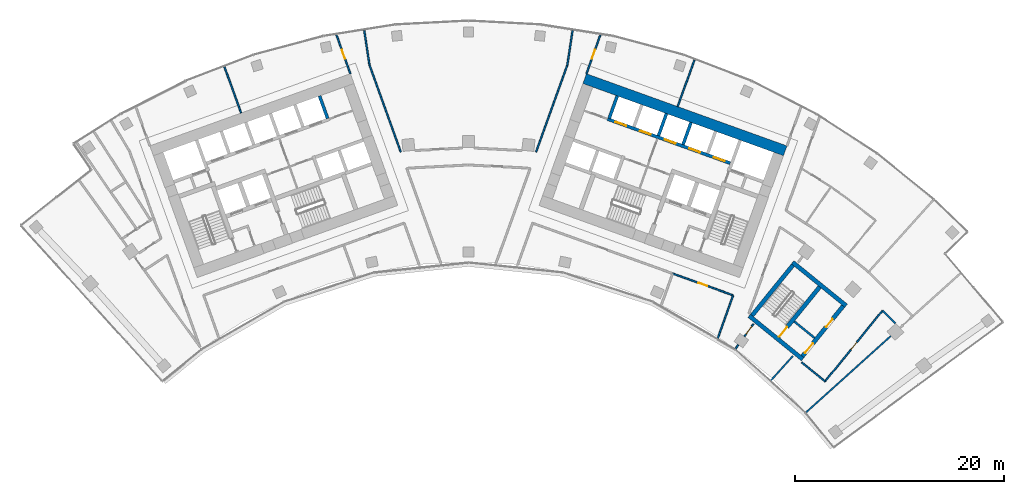
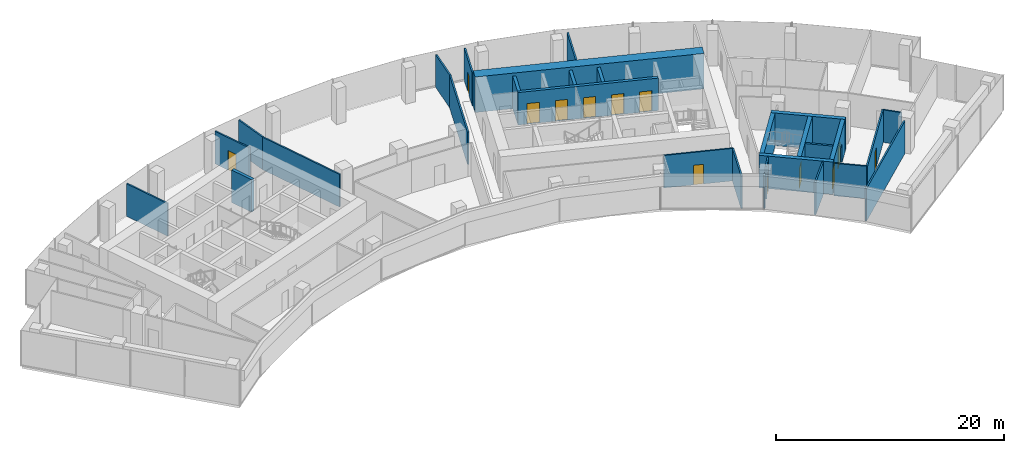
# One storey, part 14 of 17: 29 walls, 13 doors, 13 openings.
"""IFC4 building model written with IfcOpenShell, lengths in metres."""

from ifc_helpers import new_model, si_unit, direction, frame, frame_2d, origin, place, context, subcontext, project, spatial, rectangle, extrude, material, layer, layer_set, type_object, element, fill, save


model = new_model("IFC4")

# Units and contexts
model_context = context("Model", 3, precision=1e-05, world=origin(), true_north=direction((0.0, 1.0)))
body_context = subcontext(model_context, "Body", "Model", "MODEL_VIEW")
ifc_project = project(units=[si_unit("LENGTHUNIT", "METRE"), si_unit("AREAUNIT", "SQUARE_METRE"), si_unit("VOLUMEUNIT", "CUBIC_METRE"), si_unit("PLANEANGLEUNIT", "RADIAN"), si_unit("MASSUNIT", "GRAM", prefix="KILO")], contexts=[model_context])

# Site, building, storey
site_placement = place(None, origin())
site = spatial("IfcSite", under=ifc_project, at=site_placement, CompositionType="ELEMENT")
building_placement = place(site_placement, origin())
building = spatial("IfcBuilding", under=site, at=building_placement, Name="Stone Belt Terrace Tower", CompositionType="ELEMENT")
storey_placement = place(building_placement, frame((0.0, 0.0, 231.39990234375)))
storey = spatial("IfcBuildingStorey", under=building, at=storey_placement, Name="L56", CompositionType="ELEMENT", Elevation=231.39990234375)

# Walls
ifc_material_1 = material(Name="Concrete B60", Category="concrete")
ifc_layer_1 = layer(ifc_material_1, 1.0)
ifc_layer_set_1 = layer_set([ifc_layer_1], Name="Core wall 1000 B60")
wall_type_1 = type_object("IfcWallType", Name="Core wall 1000 B60", PredefinedType="SHEAR", material=ifc_layer_set_1)
wall_1_placement = place(storey_placement, frame((11.12646484375, 61.038330078125, 0.0), z_axis=(0.0, 0.0, 1.0), x_axis=(0.940921428504, -0.338624962727, 0.0)))
element("IfcWall", 1, at=wall_1_placement, inside=storey, type_object=wall_type_1, Name="Core B wall convex L56", PredefinedType="SHEAR", context=body_context, shape_type="SweptSolid", body=[
    extrude(rectangle(XDim=20.400146484375, YDim=1.0, at=frame_2d((10.2001953125, 0.0))), origin(), (0.0, 0.0, 1.0), 3.800048828125),
])
ifc_material_2 = material(Name="Concrete B80", Category="concrete")
ifc_layer_2 = layer(ifc_material_2, 0.300048828125)
ifc_layer_set_2 = layer_set([ifc_layer_2], Name="Lift shaft wall 300")
wall_type_2 = type_object("IfcWallType", Name="Lift shaft wall 300", PredefinedType="SHEAR", material=ifc_layer_set_2)
wall_2_placement = place(storey_placement, frame((-13.471435546875, 57.218505859375, 0.0), z_axis=(0.0, 0.0, 1.0), x_axis=(-0.338587917, 0.940934759939, 0.0)))
element("IfcWall", 2, at=wall_2_placement, inside=storey, type_object=wall_type_2, Name="Core A wall", PredefinedType="SHEAR", context=body_context, shape_type="SweptSolid", body=[
    extrude(rectangle(XDim=2.300048828125, YDim=0.300048828125, at=frame_2d((1.14990234375, 0.0))), origin(), (0.0, 0.0, 1.0), 3.47998046875),
])

# Wall, openings, doors
wall_3_placement = place(storey_placement, frame((25.05810546875, 52.9423828125, 0.0), z_axis=(0.0, 0.0, 1.0), x_axis=(-0.940920770291, 0.338626791666, 0.0)))
wall_3 = element("IfcWall", 3, at=wall_3_placement, inside=storey, type_object=wall_type_2, Name="Core B wall", PredefinedType="SHEAR", context=body_context, shape_type="SweptSolid", body=[
    extrude(rectangle(XDim=12.500244140625, YDim=0.300048828125, at=frame_2d((6.25, 0.0))), origin(), (0.0, 0.0, 1.0), 3.47998046875),
])
opening_1_placement = place(wall_3_placement, frame((0.570068359375, 0.0, 0.0)))
opening_1 = element("IfcOpeningElement", 4, at=opening_1_placement, cuts=wall_3, Name="Opening L56-LD09", PredefinedType="OPENING", context=body_context, shape_type="SweptSolid", body=[
    extrude(rectangle(XDim=1.10009765625, YDim=2.199951171875, at=frame_2d((0.550048828125, 1.10009765625))), frame((0.0, 0.159912109375, 0.0), z_axis=(0.0, -1.0, 0.0), x_axis=(1.0, 0.0, 0.0)), (0.0, 0.0, 1.0), 0.320068359375),
])
opening_2_placement = place(wall_3_placement, frame((3.070068359375, 0.0, 0.0)))
opening_2 = element("IfcOpeningElement", 5, at=opening_2_placement, cuts=wall_3, Name="Opening L56-LD10", PredefinedType="OPENING", context=body_context, shape_type="SweptSolid", body=[
    extrude(rectangle(XDim=1.10009765625, YDim=2.199951171875, at=frame_2d((0.550048828125, 1.10009765625))), frame((0.0, 0.159912109375, 0.0), z_axis=(0.0, -1.0, 0.0), x_axis=(1.0, 0.0, 0.0)), (0.0, 0.0, 1.0), 0.320068359375),
])
opening_3_placement = place(wall_3_placement, frame((5.570068359375, 0.0, 0.0)))
opening_3 = element("IfcOpeningElement", 6, at=opening_3_placement, cuts=wall_3, Name="Opening L56-LD11", PredefinedType="OPENING", context=body_context, shape_type="SweptSolid", body=[
    extrude(rectangle(XDim=1.10009765625, YDim=2.199951171875, at=frame_2d((0.550048828125, 1.10009765625))), frame((0.0, 0.159912109375, 0.0), z_axis=(0.0, -1.0, 0.0), x_axis=(1.0, 0.0, 0.0)), (0.0, 0.0, 1.0), 0.320068359375),
])
opening_4_placement = place(wall_3_placement, frame((8.070068359375, 0.0, 0.0)))
opening_4 = element("IfcOpeningElement", 7, at=opening_4_placement, cuts=wall_3, Name="Opening L56-LD12", PredefinedType="OPENING", context=body_context, shape_type="SweptSolid", body=[
    extrude(rectangle(XDim=1.10009765625, YDim=2.199951171875, at=frame_2d((0.550048828125, 1.10009765625))), frame((0.0, 0.159912109375, 0.0), z_axis=(0.0, -1.0, 0.0), x_axis=(1.0, 0.0, 0.0)), (0.0, 0.0, 1.0), 0.320068359375),
])
opening_5_placement = place(wall_3_placement, frame((10.570068359375, 0.0, 0.0)))
opening_5 = element("IfcOpeningElement", 8, at=opening_5_placement, cuts=wall_3, Name="Opening L56-LD13", PredefinedType="OPENING", context=body_context, shape_type="SweptSolid", body=[
    extrude(rectangle(XDim=1.10009765625, YDim=2.199951171875, at=frame_2d((0.550048828125, 1.10009765625))), frame((0.0, 0.159912109375, 0.0), z_axis=(0.0, -1.0, 0.0), x_axis=(1.0, 0.0, 0.0)), (0.0, 0.0, 1.0), 0.320068359375),
])
ifc_material_3 = material(Name="Stainless steel door leaf", Category="steel")
door_type_1 = type_object("IfcDoorType", Name="Landing door 1100", OperationType="SLIDING_TO_LEFT", PredefinedType="DOOR", material=ifc_material_3)
door_1_placement = place(opening_1_placement, origin())
door_1 = element("IfcDoor", 9, at=door_1_placement, inside=storey, type_object=door_type_1, Name="Landing door MR1 core B", OperationType="SLIDING_TO_LEFT", OverallHeight=2.199951171875, OverallWidth=1.10009765625, PredefinedType="DOOR", context=body_context, shape_type="SweptSolid", body=[
    extrude(rectangle(XDim=1.10009765625, YDim=2.199951171875, at=frame_2d((0.550048828125, 1.10009765625))), frame((0.0, 0.02490234375, 0.0), z_axis=(0.0, -1.0, 0.0), x_axis=(1.0, 0.0, 0.0)), (0.0, 0.0, 1.0), 0.050048828125),
])
fill(opening_1, door_1)
door_2_placement = place(opening_2_placement, origin())
door_2 = element("IfcDoor", 10, at=door_2_placement, inside=storey, type_object=door_type_1, Name="Landing door MR2 core B", OperationType="SLIDING_TO_LEFT", OverallHeight=2.199951171875, OverallWidth=1.10009765625, PredefinedType="DOOR", context=body_context, shape_type="SweptSolid", body=[
    extrude(rectangle(XDim=1.10009765625, YDim=2.199951171875, at=frame_2d((0.550048828125, 1.10009765625))), frame((0.0, 0.02490234375, 0.0), z_axis=(0.0, -1.0, 0.0), x_axis=(1.0, 0.0, 0.0)), (0.0, 0.0, 1.0), 0.050048828125),
])
fill(opening_2, door_2)
door_3_placement = place(opening_3_placement, origin())
door_3 = element("IfcDoor", 11, at=door_3_placement, inside=storey, type_object=door_type_1, Name="Landing door MR3 core B", OperationType="SLIDING_TO_LEFT", OverallHeight=2.199951171875, OverallWidth=1.10009765625, PredefinedType="DOOR", context=body_context, shape_type="SweptSolid", body=[
    extrude(rectangle(XDim=1.10009765625, YDim=2.199951171875, at=frame_2d((0.550048828125, 1.10009765625))), frame((0.0, 0.02490234375, 0.0), z_axis=(0.0, -1.0, 0.0), x_axis=(1.0, 0.0, 0.0)), (0.0, 0.0, 1.0), 0.050048828125),
])
fill(opening_3, door_3)
door_4_placement = place(opening_4_placement, origin())
door_4 = element("IfcDoor", 12, at=door_4_placement, inside=storey, type_object=door_type_1, Name="Landing door MR4 core B", OperationType="SLIDING_TO_LEFT", OverallHeight=2.199951171875, OverallWidth=1.10009765625, PredefinedType="DOOR", context=body_context, shape_type="SweptSolid", body=[
    extrude(rectangle(XDim=1.10009765625, YDim=2.199951171875, at=frame_2d((0.550048828125, 1.10009765625))), frame((0.0, 0.02490234375, 0.0), z_axis=(0.0, -1.0, 0.0), x_axis=(1.0, 0.0, 0.0)), (0.0, 0.0, 1.0), 0.050048828125),
])
fill(opening_4, door_4)
door_5_placement = place(opening_5_placement, origin())
door_5 = element("IfcDoor", 13, at=door_5_placement, inside=storey, type_object=door_type_1, Name="Landing door MR5 core B", OperationType="SLIDING_TO_LEFT", OverallHeight=2.199951171875, OverallWidth=1.10009765625, PredefinedType="DOOR", context=body_context, shape_type="SweptSolid", body=[
    extrude(rectangle(XDim=1.10009765625, YDim=2.199951171875, at=frame_2d((0.550048828125, 1.10009765625))), frame((0.0, 0.02490234375, 0.0), z_axis=(0.0, -1.0, 0.0), x_axis=(1.0, 0.0, 0.0)), (0.0, 0.0, 1.0), 0.050048828125),
])
fill(opening_5, door_5)

# Walls
wall_4_placement = place(storey_placement, frame((20.54541015625, 54.72607421875, 0.0), z_axis=(0.0, 0.0, 1.0), x_axis=(0.338569601369, 0.940941350472, 0.0)))
element("IfcWall", 14, at=wall_4_placement, inside=storey, type_object=wall_type_2, Name="Core B wall", PredefinedType="SHEAR", context=body_context, shape_type="SweptSolid", body=[
    extrude(rectangle(XDim=2.249755859375, YDim=0.300048828125, at=frame_2d((1.125, 0.0))), origin(), (0.0, 0.0, 1.0), 3.47998046875),
])
wall_5_placement = place(storey_placement, frame((18.193115234375, 55.572509765625, 0.0), z_axis=(0.0, 0.0, 1.0), x_axis=(0.338535034312, 0.940953787677, 0.0)))
element("IfcWall", 15, at=wall_5_placement, inside=storey, type_object=wall_type_2, Name="Core B wall", PredefinedType="SHEAR", context=body_context, shape_type="SweptSolid", body=[
    extrude(rectangle(XDim=2.25, YDim=0.300048828125, at=frame_2d((1.125, 0.0))), origin(), (0.0, 0.0, 1.0), 3.47998046875),
])
wall_6_placement = place(storey_placement, frame((13.471435546875, 57.218505859375, 0.0), z_axis=(0.0, 0.0, 1.0), x_axis=(0.338587917, 0.940934759939, 0.0)))
element("IfcWall", 16, at=wall_6_placement, inside=storey, type_object=wall_type_2, Name="Core B wall", PredefinedType="SHEAR", context=body_context, shape_type="SweptSolid", body=[
    extrude(rectangle(XDim=2.300048828125, YDim=0.300048828125, at=frame_2d((1.14990234375, 0.0))), origin(), (0.0, 0.0, 1.0), 3.47998046875),
])

# Wall, opening, door
ifc_material_4 = material(Name="Gypsum board partition")
ifc_layer_3 = layer(ifc_material_4, 0.14990234375)
ifc_layer_set_3 = layer_set([ifc_layer_3], Name="PARTITION 150 EI 60")
wall_type_3 = type_object("IfcWallType", Name="PARTITION 150 EI 60", PredefinedType="PARTITIONING", material=ifc_layer_set_3)
wall_7_placement = place(storey_placement, frame((-11.2958984375, 61.509033203125, 0.0), z_axis=(0.0, 0.0, 1.0), x_axis=(-0.338610223579, 0.940926732795, 0.0)))
wall_7 = element("IfcWall", 17, at=wall_7_placement, inside=storey, type_object=wall_type_3, Name="L56/wall/i008", PredefinedType="PARTITIONING", context=body_context, shape_type="SweptSolid", body=[
    extrude(rectangle(XDim=3.956787109375, YDim=0.14990234375, at=frame_2d((1.978515625, 0.0))), origin(), (0.0, 0.0, 1.0), 3.47998046875),
])
opening_6_placement = place(wall_7_placement, frame((1.5283203125, 0.0, 0.0)))
opening_6 = element("IfcOpeningElement", 18, at=opening_6_placement, cuts=wall_7, Name="Opening D-D4-04", PredefinedType="OPENING", context=body_context, shape_type="SweptSolid", body=[
    extrude(rectangle(XDim=0.89990234375, YDim=2.10009765625, at=frame_2d((0.449951171875, 1.050048828125))), frame((0.0, 0.0849609375, 0.0), z_axis=(0.0, -1.0, 0.0), x_axis=(1.0, 0.0, 0.0)), (0.0, 0.0, 1.0), 0.169921875),
])
ifc_material_5 = material(Name="Timber door leaf", Category="wood")
door_type_2 = type_object("IfcDoorType", Name="OFFICE DOOR 900 X 2100", OperationType="NOTDEFINED", PredefinedType="DOOR", material=ifc_material_5)
door_6_placement = place(opening_6_placement, origin())
door_6 = element("IfcDoor", 19, at=door_6_placement, inside=storey, type_object=door_type_2, Name="L56/door/i04", OperationType="SINGLE_SWING_RIGHT", OverallHeight=2.10009765625, OverallWidth=0.89990234375, PredefinedType="DOOR", context=body_context, shape_type="SweptSolid", body=[
    extrude(rectangle(XDim=0.89990234375, YDim=2.10009765625, at=frame_2d((0.449951171875, 1.050048828125))), frame((0.0, 0.02490234375, 0.0), z_axis=(0.0, -1.0, 0.0), x_axis=(1.0, 0.0, 0.0)), (0.0, 0.0, 1.0), 0.050048828125),
])
fill(opening_6, door_6)

# Walls
wall_8_placement = place(storey_placement, frame((-9.971923828125, 65.65576171875, 0.0), z_axis=(0.0, 0.0, 1.0), x_axis=(0.150154488208, -0.988662545903, 0.0)))
element("IfcWall", 20, at=wall_8_placement, inside=storey, type_object=wall_type_3, Name="L56/wall/i010", PredefinedType="PARTITIONING", context=body_context, shape_type="SweptSolid", body=[
    extrude(rectangle(XDim=3.35595703125, YDim=0.14990234375, at=frame_2d((1.677978515625, 0.0))), origin(), (0.0, 0.0, 1.0), 3.47998046875),
])
wall_9_placement = place(storey_placement, frame((-9.468017578125, 62.3369140625, 0.0), z_axis=(0.0, 0.0, 1.0), x_axis=(0.338603075024, -0.940929305307, 0.0)))
element("IfcWall", 21, at=wall_9_placement, inside=storey, type_object=wall_type_3, Name="L56/wall/i011", PredefinedType="PARTITIONING", context=body_context, shape_type="SweptSolid", body=[
    extrude(rectangle(XDim=8.839111328125, YDim=0.14990234375, at=frame_2d((4.41943359375, 0.0))), origin(), (0.0, 0.0, 1.0), 3.47998046875),
])
wall_10_placement = place(storey_placement, frame((-23.349853515625, 62.170166015625, 0.0), z_axis=(0.0, 0.0, 1.0), x_axis=(0.338590819614, -0.940933715451, 0.0)))
element("IfcWall", 22, at=wall_10_placement, inside=storey, type_object=wall_type_3, Name="L56/wall/i015", PredefinedType="PARTITIONING", context=body_context, shape_type="SweptSolid", body=[
    extrude(rectangle(XDim=4.7041015625, YDim=0.14990234375, at=frame_2d((2.35205078125, 0.0))), origin(), (0.0, 0.0, 1.0), 3.47998046875),
])

# Wall, opening, door
wall_11_placement = place(storey_placement, frame((12.6357421875, 65.232177734375, 0.0), z_axis=(0.0, 0.0, 1.0), x_axis=(-0.338610223579, -0.940926732795, 0.0)))
wall_11 = element("IfcWall", 23, at=wall_11_placement, inside=storey, type_object=wall_type_3, Name="L56/wall/i017", PredefinedType="PARTITIONING", context=body_context, shape_type="SweptSolid", body=[
    extrude(rectangle(XDim=3.956787109375, YDim=0.14990234375, at=frame_2d((1.978515625, 0.0))), origin(), (0.0, 0.0, 1.0), 3.47998046875),
])
opening_7_placement = place(wall_11_placement, frame((1.5283203125, 0.0, 0.0)))
opening_7 = element("IfcOpeningElement", 24, at=opening_7_placement, cuts=wall_11, Name="Opening D-D4-07", PredefinedType="OPENING", context=body_context, shape_type="SweptSolid", body=[
    extrude(rectangle(XDim=0.89990234375, YDim=2.10009765625, at=frame_2d((0.449951171875, 1.050048828125))), frame((0.0, 0.0849609375, 0.0), z_axis=(0.0, -1.0, 0.0), x_axis=(1.0, 0.0, 0.0)), (0.0, 0.0, 1.0), 0.169921875),
])
door_7_placement = place(opening_7_placement, origin())
door_7 = element("IfcDoor", 25, at=door_7_placement, inside=storey, type_object=door_type_2, Name="L56/door/i07", OperationType="SINGLE_SWING_RIGHT", OverallHeight=2.10009765625, OverallWidth=0.89990234375, PredefinedType="DOOR", context=body_context, shape_type="SweptSolid", body=[
    extrude(rectangle(XDim=0.89990234375, YDim=2.10009765625, at=frame_2d((0.449951171875, 1.050048828125))), frame((0.0, 0.02490234375, 0.0), z_axis=(0.0, -1.0, 0.0), x_axis=(1.0, 0.0, 0.0)), (0.0, 0.0, 1.0), 0.050048828125),
])
fill(opening_7, door_7)

# Walls
wall_12_placement = place(storey_placement, frame((6.47509765625, 54.02001953125, 0.0), z_axis=(0.0, 0.0, 1.0), x_axis=(0.338603075024, 0.940929305307, 0.0)))
element("IfcWall", 26, at=wall_12_placement, inside=storey, type_object=wall_type_3, Name="L56/wall/i019", PredefinedType="PARTITIONING", context=body_context, shape_type="SweptSolid", body=[
    extrude(rectangle(XDim=8.839111328125, YDim=0.14990234375, at=frame_2d((4.41943359375, 0.0))), origin(), (0.0, 0.0, 1.0), 3.47998046875),
])
wall_13_placement = place(storey_placement, frame((9.468017578125, 62.337890625, 0.0), z_axis=(0.0, 0.0, 1.0), x_axis=(0.150154488208, 0.988662545903, 0.0)))
element("IfcWall", 27, at=wall_13_placement, inside=storey, type_object=wall_type_3, Name="L56/wall/i020", PredefinedType="PARTITIONING", context=body_context, shape_type="SweptSolid", body=[
    extrude(rectangle(XDim=3.35595703125, YDim=0.14990234375, at=frame_2d((1.677978515625, 0.0))), origin(), (0.0, 0.0, 1.0), 3.47998046875),
])
wall_14_placement = place(storey_placement, frame((23.860107421875, 36.1787109375, 0.0), z_axis=(0.0, 0.0, 1.0), x_axis=(0.338603151709, 0.94092927771, 0.0)))
element("IfcWall", 28, at=wall_14_placement, inside=storey, type_object=wall_type_3, Name="L56/wall/i021", PredefinedType="PARTITIONING", context=body_context, shape_type="SweptSolid", body=[
    extrude(rectangle(XDim=4.38525390625, YDim=0.14990234375, at=frame_2d((2.192626953125, 0.0))), origin(), (0.0, 0.0, 1.0), 3.47998046875),
])

# Wall, opening, door
wall_15_placement = place(storey_placement, frame((27.282958984375, 37.552001953125, 0.0), z_axis=(0.0, 0.0, 1.0), x_axis=(-0.587894549619, -0.808937573938, 0.0)))
wall_15 = element("IfcWall", 29, at=wall_15_placement, inside=storey, type_object=wall_type_3, Name="L56/wall/i024", PredefinedType="PARTITIONING", context=body_context, shape_type="SweptSolid", body=[
    extrude(rectangle(XDim=1.466796875, YDim=0.14990234375, at=frame_2d((0.7333984375, 0.0))), origin(), (0.0, 0.0, 1.0), 3.47998046875),
])
opening_8_placement = place(wall_15_placement, frame((0.283447265625, 0.0, 0.0)))
opening_8 = element("IfcOpeningElement", 30, at=opening_8_placement, cuts=wall_15, Name="Opening D-D4-17", PredefinedType="OPENING", context=body_context, shape_type="SweptSolid", body=[
    extrude(rectangle(XDim=0.89990234375, YDim=2.10009765625, at=frame_2d((0.449951171875, 1.050048828125))), frame((0.0, 0.0849609375, 0.0), z_axis=(0.0, -1.0, 0.0), x_axis=(1.0, 0.0, 0.0)), (0.0, 0.0, 1.0), 0.169921875),
])
ifc_material_6 = material(Name="Timber fire door leaf", Category="wood")
door_type_3 = type_object("IfcDoorType", Name="TENANCY ENTRANCE DOOR 900 X 2100", OperationType="NOTDEFINED", PredefinedType="DOOR", material=ifc_material_6)
door_8_placement = place(opening_8_placement, origin())
door_8 = element("IfcDoor", 31, at=door_8_placement, inside=storey, type_object=door_type_3, Name="L56/door/i17", OperationType="SINGLE_SWING_RIGHT", OverallHeight=2.10009765625, OverallWidth=0.89990234375, PredefinedType="DOOR", context=body_context, shape_type="SweptSolid", body=[
    extrude(rectangle(XDim=0.89990234375, YDim=2.10009765625, at=frame_2d((0.449951171875, 1.050048828125))), frame((0.0, 0.02490234375, 0.0), z_axis=(0.0, -1.0, 0.0), x_axis=(1.0, 0.0, 0.0)), (0.0, 0.0, 1.0), 0.050048828125),
])
fill(opening_8, door_8)

# Wall
wall_16_placement = place(storey_placement, frame((25.826904296875, 35.54833984375, 0.0), z_axis=(0.0, 0.0, 1.0), x_axis=(-0.587676645097, -0.809095890984, 0.0)))
element("IfcWall", 32, at=wall_16_placement, inside=storey, type_object=wall_type_3, Name="L56/wall/i025", PredefinedType="PARTITIONING", context=body_context, shape_type="SweptSolid", body=[
    extrude(rectangle(XDim=0.43994140625, YDim=0.14990234375, at=frame_2d((0.219970703125, 0.0))), origin(), (0.0, 0.0, 1.0), 3.47998046875),
])

# Wall, opening, door
wall_17_placement = place(storey_placement, frame((25.343017578125, 40.299072265625, 0.0), z_axis=(0.0, 0.0, 1.0), x_axis=(-0.940930306206, 0.338600293654, 0.0)))
wall_17 = element("IfcWall", 33, at=wall_17_placement, inside=storey, type_object=wall_type_3, Name="L56/wall/i029", PredefinedType="PARTITIONING", context=body_context, shape_type="SweptSolid", body=[
    extrude(rectangle(XDim=6.166259765625, YDim=0.14990234375, at=frame_2d((3.0830078125, 0.0))), origin(), (0.0, 0.0, 1.0), 3.47998046875),
])
opening_9_placement = place(wall_17_placement, frame((2.633056640625, 0.0, 0.0)))
opening_9 = element("IfcOpeningElement", 34, at=opening_9_placement, cuts=wall_17, Name="Opening D-D4-06", PredefinedType="OPENING", context=body_context, shape_type="SweptSolid", body=[
    extrude(rectangle(XDim=0.89990234375, YDim=2.10009765625, at=frame_2d((0.449951171875, 1.050048828125))), frame((0.0, 0.0849609375, 0.0), z_axis=(0.0, -1.0, 0.0), x_axis=(1.0, 0.0, 0.0)), (0.0, 0.0, 1.0), 0.169921875),
])
door_9_placement = place(opening_9_placement, origin())
door_9 = element("IfcDoor", 35, at=door_9_placement, inside=storey, type_object=door_type_2, Name="L56/door/i06", OperationType="SINGLE_SWING_RIGHT", OverallHeight=2.10009765625, OverallWidth=0.89990234375, PredefinedType="DOOR", context=body_context, shape_type="SweptSolid", body=[
    extrude(rectangle(XDim=0.89990234375, YDim=2.10009765625, at=frame_2d((0.449951171875, 1.050048828125))), frame((0.0, 0.02490234375, 0.0), z_axis=(0.0, -1.0, 0.0), x_axis=(1.0, 0.0, 0.0)), (0.0, 0.0, 1.0), 0.050048828125),
])
fill(opening_9, door_9)

# Walls
wall_18_placement = place(storey_placement, frame((21.634765625, 62.828125, 0.0), z_axis=(0.0, 0.0, 1.0), x_axis=(-0.338595500768, -0.940932030946, 0.0)))
element("IfcWall", 36, at=wall_18_placement, inside=storey, type_object=wall_type_3, Name="L56/wall/i031", PredefinedType="PARTITIONING", context=body_context, shape_type="SweptSolid", body=[
    extrude(rectangle(XDim=4.7421875, YDim=0.14990234375, at=frame_2d((2.37109375, 0.0))), origin(), (0.0, 0.0, 1.0), 3.47998046875),
])
wall_19_placement = place(storey_placement, frame((32.32666015625, 29.107177734375, 0.0), z_axis=(0.0, 0.0, 1.0), x_axis=(0.743123646352, 0.669154127412, 0.0)))
element("IfcWall", 37, at=wall_19_placement, inside=storey, type_object=wall_type_3, Name="L56/wall/i047", PredefinedType="PARTITIONING", context=body_context, shape_type="SweptSolid", body=[
    extrude(rectangle(XDim=10.89501953125, YDim=0.14990234375, at=frame_2d((5.447509765625, 0.0))), origin(), (0.0, 0.0, 1.0), 3.47998046875),
])
wall_20_placement = place(storey_placement, frame((40.871826171875, 37.615234375, 0.0), z_axis=(0.0, 0.0, 1.0), x_axis=(-0.707176795224, 0.707036760216, 0.0)))
element("IfcWall", 38, at=wall_20_placement, inside=storey, type_object=wall_type_3, Name="L56/wall/i051", PredefinedType="PARTITIONING", context=body_context, shape_type="SweptSolid", body=[
    extrude(rectangle(XDim=1.743408203125, YDim=0.14990234375, at=frame_2d((0.87158203125, 0.0))), origin(), (0.0, 0.0, 1.0), 3.47998046875),
])

# Wall, opening, door
wall_21_placement = place(storey_placement, frame((39.64306640625, 38.843994140625, 0.0), z_axis=(0.0, 0.0, 1.0), x_axis=(-0.630226712005, -0.776411161354, 0.0)))
wall_21 = element("IfcWall", 39, at=wall_21_placement, inside=storey, type_object=wall_type_3, Name="L56/wall/i057", PredefinedType="PARTITIONING", context=body_context, shape_type="SweptSolid", body=[
    extrude(rectangle(XDim=8.742919921875, YDim=0.14990234375, at=frame_2d((4.37158203125, 0.0))), origin(), (0.0, 0.0, 1.0), 3.47998046875),
])
opening_10_placement = place(wall_21_placement, frame((3.92138671875, 0.0, 0.0)))
opening_10 = element("IfcOpeningElement", 40, at=opening_10_placement, cuts=wall_21, Name="Opening D-D4-18", PredefinedType="OPENING", context=body_context, shape_type="SweptSolid", body=[
    extrude(rectangle(XDim=0.89990234375, YDim=2.10009765625, at=frame_2d((0.449951171875, 1.050048828125))), frame((0.0, 0.0849609375, 0.0), z_axis=(0.0, -1.0, 0.0), x_axis=(1.0, 0.0, 0.0)), (0.0, 0.0, 1.0), 0.169921875),
])
door_10_placement = place(opening_10_placement, origin())
door_10 = element("IfcDoor", 41, at=door_10_placement, inside=storey, type_object=door_type_2, Name="L56/door/i18", OperationType="SINGLE_SWING_LEFT", OverallHeight=2.10009765625, OverallWidth=0.89990234375, PredefinedType="DOOR", context=body_context, shape_type="SweptSolid", body=[
    extrude(rectangle(XDim=0.89990234375, YDim=2.10009765625, at=frame_2d((0.449951171875, 1.050048828125))), frame((0.0, 0.02490234375, 0.0), z_axis=(0.0, -1.0, 0.0), x_axis=(1.0, 0.0, 0.0)), (0.0, 0.0, 1.0), 0.050048828125),
])
fill(opening_10, door_10)

# Walls
wall_22_placement = place(storey_placement, frame((34.133056640625, 32.055908203125, 0.0), z_axis=(0.0, 0.0, 1.0), x_axis=(-0.776369956068, 0.630277471686, 0.0)))
element("IfcWall", 42, at=wall_22_placement, inside=storey, type_object=wall_type_3, Name="L56/wall/i058", PredefinedType="PARTITIONING", context=body_context, shape_type="SweptSolid", body=[
    extrude(rectangle(XDim=2.8876953125, YDim=0.14990234375, at=frame_2d((1.44384765625, 0.0))), origin(), (0.0, 0.0, 1.0), 3.47998046875),
])
wall_23_placement = place(storey_placement, frame((31.054931640625, 34.489990234375, 0.0), z_axis=(0.0, 0.0, 1.0), x_axis=(-0.669118910745, -0.743155356089, 0.0)))
element("IfcWall", 43, at=wall_23_placement, inside=storey, type_object=wall_type_3, Name="L56/wall/i059", PredefinedType="PARTITIONING", context=body_context, shape_type="SweptSolid", body=[
    extrude(rectangle(XDim=3.149169921875, YDim=0.14990234375, at=frame_2d((1.57470703125, 0.0))), origin(), (0.0, 0.0, 1.0), 3.47998046875),
])
ifc_material_7 = material(Name="Concrete masonry block", Category="masonry")
ifc_layer_4 = layer(ifc_material_7, 0.199951171875)
ifc_layer_set_4 = layer_set([ifc_layer_4], Name="Rated lobby wall 200")
wall_type_4 = type_object("IfcWallType", Name="Rated lobby wall 200", PredefinedType="PARTITIONING", material=ifc_layer_set_4)
wall_24_placement = place(storey_placement, frame((31.190673828125, 37.79296875, 0.0), z_axis=(0.0, 0.0, 1.0), x_axis=(0.776370830301, -0.630276394813, 0.0)))
element("IfcWall", 44, at=wall_24_placement, inside=storey, type_object=wall_type_4, Name="Exit stair ST3B wall", PredefinedType="PARTITIONING", context=body_context, shape_type="SweptSolid", body=[
    extrude(rectangle(XDim=2.5, YDim=0.199951171875, at=frame_2d((1.25, 0.0))), origin(), (0.0, 0.0, 1.0), 3.47998046875),
])
ifc_layer_5 = layer(ifc_material_2, 0.39990234375)
ifc_layer_set_5 = layer_set([ifc_layer_5], Name="Stair enclosure wall 400")
wall_type_5 = type_object("IfcWallType", Name="Stair enclosure wall 400", PredefinedType="SHEAR", material=ifc_layer_set_5)
wall_25_placement = place(storey_placement, frame((26.868408203125, 38.3388671875, 0.0), z_axis=(0.0, 0.0, 1.0), x_axis=(0.776428452498, -0.630205409491, 0.0)))
element("IfcWall", 45, at=wall_25_placement, inside=storey, type_object=wall_type_5, Name="Exit stair ST3B wall", PredefinedType="SHEAR", context=body_context, shape_type="SweptSolid", body=[
    extrude(rectangle(XDim=6.60009765625, YDim=0.39990234375, at=frame_2d((3.300048828125, 0.0))), origin(), (0.0, 0.0, 1.0), 3.47998046875),
])
wall_26_placement = place(storey_placement, frame((31.02783203125, 43.46337890625, 0.0), z_axis=(0.0, 0.0, 1.0), x_axis=(0.776413760801, -0.630223509589, 0.0)))
element("IfcWall", 46, at=wall_26_placement, inside=storey, type_object=wall_type_5, Name="Exit stair ST3B wall", PredefinedType="SHEAR", context=body_context, shape_type="SweptSolid", body=[
    extrude(rectangle(XDim=6.599853515625, YDim=0.39990234375, at=frame_2d((3.2998046875, 0.0))), origin(), (0.0, 0.0, 1.0), 3.47998046875),
])
wall_27_placement = place(storey_placement, frame((27.149658203125, 38.3681640625, 0.0), z_axis=(0.0, 0.0, 1.0), x_axis=(0.630211551729, 0.776423466973, 0.0)))
element("IfcWall", 47, at=wall_27_placement, inside=storey, type_object=wall_type_5, Name="Exit stair ST3B wall", PredefinedType="SHEAR", context=body_context, shape_type="SweptSolid", body=[
    extrude(rectangle(XDim=6.199951171875, YDim=0.39990234375, at=frame_2d((3.10009765625, 0.0))), origin(), (0.0, 0.0, 1.0), 3.47998046875),
])

# Wall, openings, doors
wall_28_placement = place(storey_placement, frame((31.963623046875, 34.460693359375, 0.0), z_axis=(0.0, 0.0, 1.0), x_axis=(0.630192283849, 0.776439106033, 0.0)))
wall_28 = element("IfcWall", 48, at=wall_28_placement, inside=storey, type_object=wall_type_5, Name="Exit stair ST3B wall", PredefinedType="SHEAR", context=body_context, shape_type="SweptSolid", body=[
    extrude(rectangle(XDim=6.199951171875, YDim=0.39990234375, at=frame_2d((3.10009765625, 0.0))), origin(), (0.0, 0.0, 1.0), 3.47998046875),
])
opening_11_placement = place(wall_28_placement, frame((0.39990234375, 0.0, 0.0)))
opening_11 = element("IfcOpeningElement", 49, at=opening_11_placement, cuts=wall_28, Name="Opening L56-C28", PredefinedType="OPENING", context=body_context, shape_type="SweptSolid", body=[
    extrude(rectangle(XDim=1.199951171875, YDim=2.10009765625, at=frame_2d((0.60009765625, 1.050048828125))), frame((0.0, 0.2099609375, 0.0), z_axis=(0.0, -1.0, 0.0), x_axis=(1.0, 0.0, 0.0)), (0.0, 0.0, 1.0), 0.419921875),
])
opening_12_placement = place(wall_28_placement, frame((3.60009765625, 0.0, 0.0)))
opening_12 = element("IfcOpeningElement", 50, at=opening_12_placement, cuts=wall_28, Name="Opening L56-C29", PredefinedType="OPENING", context=body_context, shape_type="SweptSolid", body=[
    extrude(rectangle(XDim=1.0, YDim=2.10009765625, at=frame_2d((0.5, 1.050048828125))), frame((0.0, 0.2099609375, 0.0), z_axis=(0.0, -1.0, 0.0), x_axis=(1.0, 0.0, 0.0)), (0.0, 0.0, 1.0), 0.419921875),
])
door_type_4 = type_object("IfcDoorType", Name="Core room door 1000", OperationType="SINGLE_SWING_LEFT", PredefinedType="DOOR", material=ifc_material_5)
door_11_placement = place(opening_12_placement, origin())
door_11 = element("IfcDoor", 51, at=door_11_placement, inside=storey, type_object=door_type_4, Name="Door to stair pressurisation plant room ST3B", OperationType="SINGLE_SWING_RIGHT", OverallHeight=2.10009765625, OverallWidth=1.0, PredefinedType="DOOR", context=body_context, shape_type="SweptSolid", body=[
    extrude(rectangle(XDim=1.0, YDim=2.10009765625, at=frame_2d((0.5, 1.050048828125))), frame((0.0, 0.02490234375, 0.0), z_axis=(0.0, -1.0, 0.0), x_axis=(1.0, 0.0, 0.0)), (0.0, 0.0, 1.0), 0.050048828125),
])
fill(opening_12, door_11)
ifc_material_8 = material(Name="Steel door leaf", Category="steel")
door_type_5 = type_object("IfcDoorType", Name="Stair airlock door 1200", OperationType="SINGLE_SWING_LEFT", PredefinedType="DOOR", material=ifc_material_8)
door_12_placement = place(opening_11_placement, origin())
door_12 = element("IfcDoor", 52, at=door_12_placement, inside=storey, type_object=door_type_5, Name="Stair airlock door ST3B", OperationType="SINGLE_SWING_RIGHT", OverallHeight=2.10009765625, OverallWidth=1.199951171875, PredefinedType="DOOR", context=body_context, shape_type="SweptSolid", body=[
    extrude(rectangle(XDim=1.199951171875, YDim=2.10009765625, at=frame_2d((0.60009765625, 1.050048828125))), frame((0.0, 0.02490234375, 0.0), z_axis=(0.0, -1.0, 0.0), x_axis=(1.0, 0.0, 0.0)), (0.0, 0.0, 1.0), 0.050048828125),
])
fill(opening_11, door_12)

# Wall, opening, door
wall_29_placement = place(storey_placement, frame((29.7119140625, 36.288330078125, 0.0), z_axis=(0.0, 0.0, 1.0), x_axis=(0.630192283849, 0.776439106033, 0.0)))
wall_29 = element("IfcWall", 53, at=wall_29_placement, inside=storey, type_object=wall_type_5, Name="Exit stair ST3B wall", PredefinedType="SHEAR", context=body_context, shape_type="SweptSolid", body=[
    extrude(rectangle(XDim=6.199951171875, YDim=0.39990234375, at=frame_2d((3.10009765625, 0.0))), origin(), (0.0, 0.0, 1.0), 3.47998046875),
])
opening_13_placement = place(wall_29_placement, frame((0.050048828125, 0.0, 0.0)))
opening_13 = element("IfcOpeningElement", 54, at=opening_13_placement, cuts=wall_29, Name="Opening L56-C27", PredefinedType="OPENING", context=body_context, shape_type="SweptSolid", body=[
    extrude(rectangle(XDim=1.199951171875, YDim=2.10009765625, at=frame_2d((0.60009765625, 1.050048828125))), frame((0.0, 0.2099609375, 0.0), z_axis=(0.0, -1.0, 0.0), x_axis=(1.0, 0.0, 0.0)), (0.0, 0.0, 1.0), 0.419921875),
])
door_type_6 = type_object("IfcDoorType", Name="Stair door 1200", OperationType="SINGLE_SWING_LEFT", PredefinedType="DOOR", material=ifc_material_8)
door_13_placement = place(opening_13_placement, origin())
door_13 = element("IfcDoor", 55, at=door_13_placement, inside=storey, type_object=door_type_6, Name="Stair door ST3B", OperationType="SINGLE_SWING_LEFT", OverallHeight=2.10009765625, OverallWidth=1.199951171875, PredefinedType="DOOR", context=body_context, shape_type="SweptSolid", body=[
    extrude(rectangle(XDim=1.199951171875, YDim=2.10009765625, at=frame_2d((0.60009765625, 1.050048828125))), frame((0.0, 0.02490234375, 0.0), z_axis=(0.0, -1.0, 0.0), x_axis=(1.0, 0.0, 0.0)), (0.0, 0.0, 1.0), 0.050048828125),
])
fill(opening_13, door_13)

save(model, "model.ifc")
